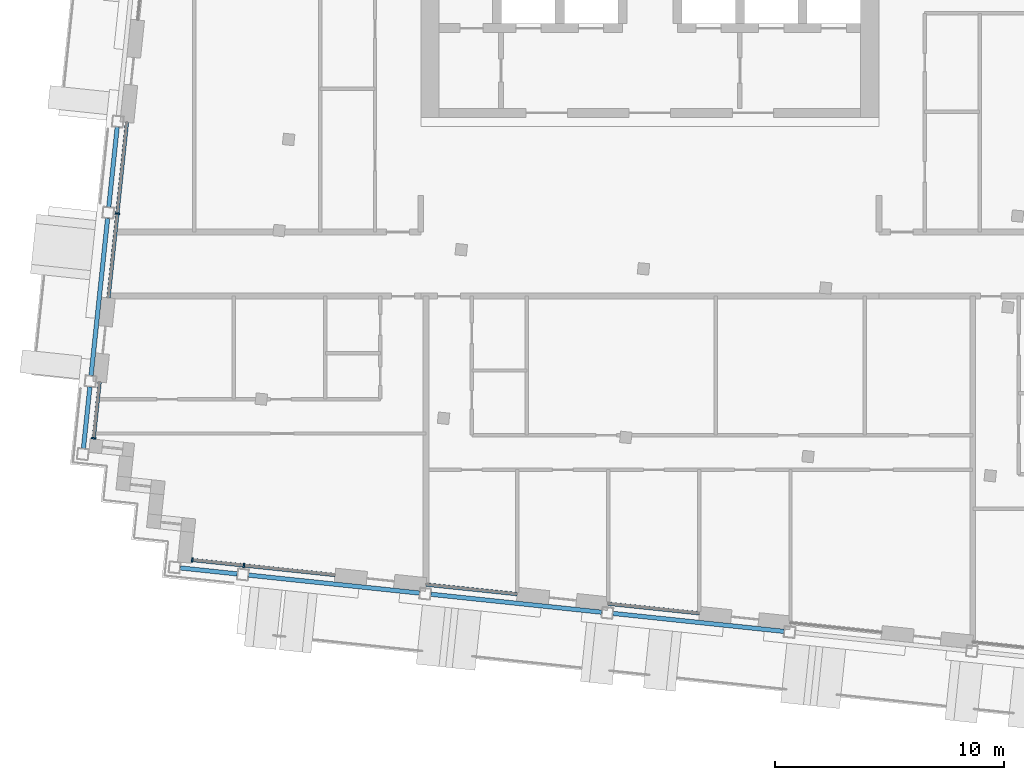
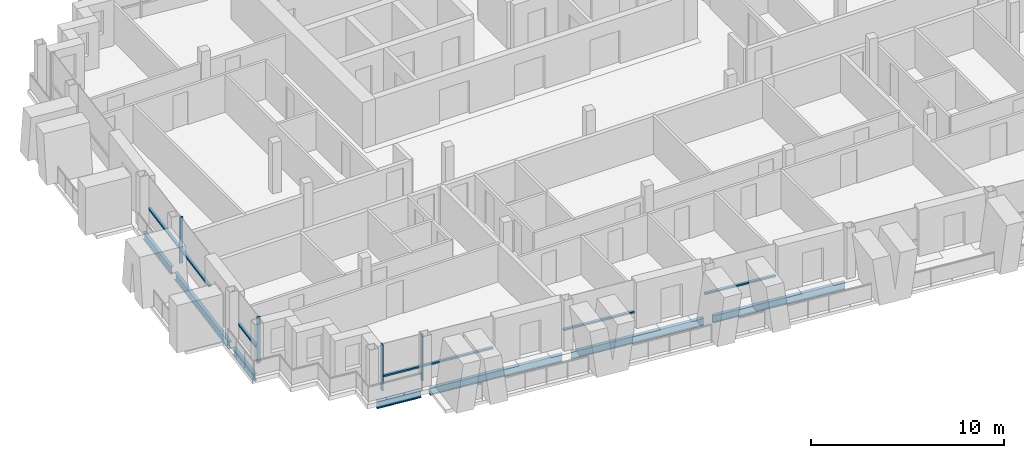
# One storey, part 2 of 16: 11 members, 7 beams, 5 elements without a shape of their own.
"""IFC4 building model written with IfcOpenShell, lengths in metres."""

from ifc_helpers import new_model, si_unit, direction, frame, origin, origin_2d, place, context, subcontext, project, spatial, rectangle, i_section, extrude, material, material_profile, profile_set, type_object, element, aggregate, save


model = new_model("IFC4")

# Units and contexts
model_context = context("Model", 3, precision=1e-05, world=origin(), true_north=direction((0.0, 1.0)))
body_context = subcontext(model_context, "Body", "Model", "MODEL_VIEW")
ifc_project = project(units=[si_unit("LENGTHUNIT", "METRE"), si_unit("AREAUNIT", "SQUARE_METRE"), si_unit("VOLUMEUNIT", "CUBIC_METRE"), si_unit("PLANEANGLEUNIT", "RADIAN"), si_unit("MASSUNIT", "GRAM", prefix="KILO")], contexts=[model_context])

# Site, building, storey
site_placement = place(None, origin())
site = spatial("IfcSite", under=ifc_project, at=site_placement, CompositionType="ELEMENT")
building_placement = place(site_placement, origin())
building = spatial("IfcBuilding", under=site, at=building_placement, Name="Vidyagriha Tower", CompositionType="ELEMENT")
storey_placement = place(building_placement, frame((0.0, 0.0, 256.300048828125)))
storey = spatial("IfcBuildingStorey", under=building, at=storey_placement, Name="L66", CompositionType="ELEMENT", Elevation=256.300048828125)

# Beams
ifc_material_1 = material(Name="Steel ASTM A992 Grade 50", Category="steel")
ifc_material_profile_1 = material_profile(ifc_material_1, i_section(OverallWidth=0.19189453125, OverallDepth=0.46240234375, WebThickness=0.010498046875, FlangeThickness=0.017578125, at=origin_2d()), Name="W18X60")
ifc_profile_set_1 = profile_set([ifc_material_profile_1], Name="Steel ASTM A992 Grade 50")
beam_type = type_object("IfcBeamType", Name="Edge beam W18X60", PredefinedType="SPANDREL", material=ifc_profile_set_1)
beam_1_placement = place(storey_placement, frame((-20.50341796875, -13.268798828125, -0.51123046875), z_axis=(0.994525767953, -0.104491611519, 0.0), x_axis=(0.104491611519, 0.994525767953, 0.0)))
element("IfcBeam", 1, at=beam_1_placement, inside=storey, type_object=beam_type, Name="st-beam-L66-S01", PredefinedType="SPANDREL", context=body_context, shape_type="SweptSolid", body=[
    extrude(i_section(OverallWidth=0.19189453125, OverallDepth=0.46240234375, WebThickness=0.010498046875, FlangeThickness=0.017578125, at=origin_2d()), origin(), (0.0, 0.0, 1.0), 2.5),
])
for number, where, z_axis, x_axis, name in (
    (2, (-17.519775390625, -13.582275390625, -0.51123046875), (0.994522384662, -0.104523807841, 0.0), (0.104523807841, 0.994522384662, 0.0), "st-beam-L66-S02"),
    (3, (-9.563720703125, -14.418701171875, -0.51123046875), (0.994525767953, -0.104491611519, 0.0), (0.104491611519, 0.994525767953, 0.0), "st-beam-L66-S03"),
    (4, (-1.607421875, -15.2548828125, -0.51123046875), (0.994522384662, -0.104523807841, 0.0), (0.104523807841, 0.994522384662, 0.0), "st-beam-L66-S04"),
):
    element("IfcBeam", number, at=place(storey_placement, frame(where, z_axis=z_axis, x_axis=x_axis)), inside=storey, type_object=beam_type, Name=name, PredefinedType="SPANDREL", context=body_context, shape_type="SweptSolid", body=[
        extrude(i_section(OverallWidth=0.19189453125, OverallDepth=0.46240234375, WebThickness=0.010498046875, FlangeThickness=0.017578125, at=origin_2d()), origin(), (0.0, 0.0, 1.0), 7.5),
    ])
beam_2_placement = place(storey_placement, frame((-24.730712890625, -8.04833984375, -0.51123046875), z_axis=(0.104524753323, 0.994522285292, 0.0), x_axis=(-0.994522285292, 0.104524753323, 0.0)))
element("IfcBeam", 5, at=beam_2_placement, inside=storey, type_object=beam_type, Name="st-beam-L66-W08", PredefinedType="SPANDREL", context=body_context, shape_type="SweptSolid", body=[
    extrude(i_section(OverallWidth=0.19189453125, OverallDepth=0.46240234375, WebThickness=0.010498046875, FlangeThickness=0.017578125, at=origin_2d()), origin(), (0.0, 0.0, 1.0), 2.7001953125),
])
beam_3_placement = place(storey_placement, frame((-24.396484375, -4.86572265625, -0.51123046875), z_axis=(0.104557694553, 0.994518822602, 0.0), x_axis=(-0.994518822602, 0.104557694553, 0.0)))
element("IfcBeam", 6, at=beam_3_placement, inside=storey, type_object=beam_type, Name="st-beam-L66-W09", PredefinedType="SPANDREL", context=body_context, shape_type="SweptSolid", body=[
    extrude(i_section(OverallWidth=0.19189453125, OverallDepth=0.46240234375, WebThickness=0.010498046875, FlangeThickness=0.017578125, at=origin_2d()), origin(), (0.0, 0.0, 1.0), 6.89990234375),
])
beam_4_placement = place(storey_placement, frame((-23.622802734375, 2.49365234375, -0.51123046875), z_axis=(0.104488712073, 0.994526072584, 0.0), x_axis=(-0.994526072584, 0.104488712073, 0.0)))
element("IfcBeam", 7, at=beam_4_placement, inside=storey, type_object=beam_type, Name="st-beam-L66-W10", PredefinedType="SPANDREL", context=body_context, shape_type="SweptSolid", body=[
    extrude(i_section(OverallWidth=0.19189453125, OverallDepth=0.46240234375, WebThickness=0.010498046875, FlangeThickness=0.017578125, at=origin_2d()), origin(), (0.0, 0.0, 1.0), 3.5),
])

# Curtain wall, member
ifc_material_2 = material(Name="Aluminium and glass curtain wall", Category="aluminium")
curtain_wall_type = type_object("IfcCurtainWallType", Name="Dwelling skin unitised curtain wall", PredefinedType="USERDEFINED", material=ifc_material_2)
curtain_wall_1_placement = place(storey_placement, origin())
curtain_wall_1 = element("IfcCurtainWall", 8, at=curtain_wall_1_placement, inside=storey, type_object=curtain_wall_type, Name="CW1 dwelling skin", ObjectType="UNITISED", PredefinedType="USERDEFINED")
ifc_material_3 = material(Name="Aluminium black anodised", Category="aluminium")
ifc_material_profile_2 = material_profile(ifc_material_3, rectangle(XDim=0.199951171875, YDim=0.070068359375, at=origin_2d()), Name="Mullion 70x200 black aluminium")
ifc_profile_set_2 = profile_set([ifc_material_profile_2], Name="Aluminium black anodised")
member_type_1 = type_object("IfcMemberType", Name="Mullion 70x200 black aluminium", PredefinedType="MULLION", material=ifc_profile_set_2)
member_1_placement = place(storey_placement, frame((-23.251220703125, 2.203369140625, 0.0), z_axis=(0.0, 0.0, 1.0), x_axis=(0.994521452706, -0.10453267483, 0.0)))
member_1 = element("IfcMember", 9, at=member_1_placement, type_object=member_type_1, Name="CW1 mullion 2", PredefinedType="MULLION", context=body_context, shape_type="SweptSolid", body=[
    extrude(rectangle(XDim=0.199951171875, YDim=0.070068359375, at=origin_2d()), origin(), (0.0, 0.0, 1.0), 2.919921875),
])

curtain_wall_2_placement = place(storey_placement, origin())
curtain_wall_2 = element("IfcCurtainWall", 10, at=curtain_wall_2_placement, inside=storey, type_object=curtain_wall_type, Name="CW1 dwelling skin", ObjectType="UNITISED", PredefinedType="USERDEFINED")
member_2_placement = place(storey_placement, frame((-24.2822265625, -7.60791015625, 0.0), z_axis=(0.0, 0.0, 1.0), x_axis=(0.994523191389, -0.10451613172, 0.0)))
member_2 = element("IfcMember", 11, at=member_2_placement, type_object=member_type_1, Name="CW1 mullion 2", PredefinedType="MULLION", context=body_context, shape_type="SweptSolid", body=[
    extrude(rectangle(XDim=0.199951171875, YDim=0.070068359375, at=origin_2d()), origin(), (0.0, 0.0, 1.0), 2.919921875),
])

# Curtain wall, members
curtain_wall_3_placement = place(storey_placement, origin())
curtain_wall_3 = element("IfcCurtainWall", 12, at=curtain_wall_3_placement, inside=storey, type_object=curtain_wall_type, Name="CW1 dwelling skin", ObjectType="UNITISED", PredefinedType="USERDEFINED")
member_3_placement = place(storey_placement, frame((-19.979248046875, -12.921630859375, 0.0), z_axis=(0.0, 0.0, 1.0), x_axis=(0.104523661385, 0.994522400055, 0.0)))
member_3 = element("IfcMember", 13, at=member_3_placement, type_object=member_type_1, Name="CW1 mullion 1", PredefinedType="MULLION", context=body_context, shape_type="SweptSolid", body=[
    extrude(rectangle(XDim=0.199951171875, YDim=0.070068359375, at=origin_2d()), origin(), (0.0, 0.0, 1.0), 2.919921875),
])
member_4_placement = place(storey_placement, frame((-17.7265625, -13.158447265625, 0.0), z_axis=(0.0, 0.0, 1.0), x_axis=(0.104523661385, 0.994522400055, 0.0)))
member_4 = element("IfcMember", 14, at=member_4_placement, type_object=member_type_1, Name="CW1 mullion 2", PredefinedType="MULLION", context=body_context, shape_type="SweptSolid", body=[
    extrude(rectangle(XDim=0.199951171875, YDim=0.070068359375, at=origin_2d()), origin(), (0.0, 0.0, 1.0), 2.919921875),
])

# Member
ifc_material_4 = material(Name="Aluminium black anodised", Category="aluminium")
ifc_material_profile_3 = material_profile(ifc_material_4, rectangle(XDim=0.159912109375, YDim=0.10009765625, at=origin_2d()), Name="Transom 100x160 black aluminium")
ifc_profile_set_3 = profile_set([ifc_material_profile_3], Name="Aluminium black anodised")
member_type_2 = type_object("IfcMemberType", Name="Transom 100x160 black aluminium", PredefinedType="USERDEFINED", material=ifc_profile_set_3)
member_5_placement = place(storey_placement, frame((-22.8330078125, 6.181396484375, 0.89990234375), z_axis=(-0.104550167438, -0.994519613929, 0.0), x_axis=(0.994519613929, -0.104550167438, 0.0)))
member_5 = element("IfcMember", 15, at=member_5_placement, type_object=member_type_2, Name="CW1 transom 1.1", ObjectType="TRANSOM", PredefinedType="USERDEFINED", context=body_context, shape_type="SweptSolid", body=[
    extrude(rectangle(XDim=0.159912109375, YDim=0.10009765625, at=origin_2d()), origin(), (0.0, 0.0, 1.0), 3.965087890625),
])

member_6_placement = place(storey_placement, frame((-23.2548828125, 2.16845703125, 0.89990234375), z_axis=(-0.104521800028, -0.99452259568, 0.0), x_axis=(0.99452259568, -0.104521800028, 0.0)))
member_6 = element("IfcMember", 16, at=member_6_placement, type_object=member_type_2, Name="CW1 transom 2.1", ObjectType="TRANSOM", PredefinedType="USERDEFINED", context=body_context, shape_type="SweptSolid", body=[
    extrude(rectangle(XDim=0.159912109375, YDim=0.10009765625, at=origin_2d()), origin(), (0.0, 0.0, 1.0), 3.664794921875),
])

aggregate(curtain_wall_1, [member_1, member_5, member_6])

member_7_placement = place(storey_placement, frame((-24.024658203125, -5.15625, 0.89990234375), z_axis=(-0.104486049741, -0.994526352295, 0.0), x_axis=(0.994526352295, -0.104486049741, 0.0)))
member_7 = element("IfcMember", 17, at=member_7_placement, type_object=member_type_2, Name="CW1 transom 1.1", ObjectType="TRANSOM", PredefinedType="USERDEFINED", context=body_context, shape_type="SweptSolid", body=[
    extrude(rectangle(XDim=0.159912109375, YDim=0.10009765625, at=origin_2d()), origin(), (0.0, 0.0, 1.0), 2.429931640625),
])

aggregate(curtain_wall_2, [member_2, member_7])

member_8_placement = place(storey_placement, frame((-19.9443359375, -12.92529296875, 0.89990234375), z_axis=(0.994518853465, -0.104557400991, 0.0), x_axis=(0.104557400991, 0.994518853465, 0.0)))
member_8 = element("IfcMember", 18, at=member_8_placement, type_object=member_type_2, Name="CW1 transom 1.1", ObjectType="TRANSOM", PredefinedType="USERDEFINED", context=body_context, shape_type="SweptSolid", body=[
    extrude(rectangle(XDim=0.159912109375, YDim=0.10009765625, at=origin_2d()), origin(), (0.0, 0.0, 1.0), 2.19482421875),
])

member_9_placement = place(storey_placement, frame((-17.69189453125, -13.162109375, 0.89990234375), z_axis=(0.994526014245, -0.104489267346, 0.0), x_axis=(0.104489267346, 0.994526014245, 0.0)))
member_9 = element("IfcMember", 19, at=member_9_placement, type_object=member_type_2, Name="CW1 transom 2.1", ObjectType="TRANSOM", PredefinedType="USERDEFINED", context=body_context, shape_type="SweptSolid", body=[
    extrude(rectangle(XDim=0.159912109375, YDim=0.10009765625, at=origin_2d()), origin(), (0.0, 0.0, 1.0), 3.965087890625),
])

aggregate(curtain_wall_3, [member_3, member_4, member_8, member_9])

# Curtain wall, member
curtain_wall_4_placement = place(storey_placement, origin())
curtain_wall_4 = element("IfcCurtainWall", 20, at=curtain_wall_4_placement, inside=storey, type_object=curtain_wall_type, Name="CW1 dwelling skin", ObjectType="UNITISED", PredefinedType="USERDEFINED")
member_10_placement = place(storey_placement, frame((-9.7705078125, -13.99462890625, 0.89990234375), z_axis=(0.99451982373, -0.104548171712, 0.0), x_axis=(0.104548171712, 0.99451982373, 0.0)))
member_10 = element("IfcMember", 21, at=member_10_placement, type_object=member_type_2, Name="CW1 transom 1.1", ObjectType="TRANSOM", PredefinedType="USERDEFINED", context=body_context, shape_type="SweptSolid", body=[
    extrude(rectangle(XDim=0.159912109375, YDim=0.10009765625, at=origin_2d()), origin(), (0.0, 0.0, 1.0), 4.000244140625),
])
aggregate(curtain_wall_4, [member_10])

curtain_wall_5_placement = place(storey_placement, origin())
curtain_wall_5 = element("IfcCurtainWall", 22, at=curtain_wall_5_placement, inside=storey, type_object=curtain_wall_type, Name="CW1 dwelling skin", ObjectType="UNITISED", PredefinedType="USERDEFINED")
member_11_placement = place(storey_placement, frame((-1.814208984375, -14.830810546875, 0.89990234375), z_axis=(0.994519156568, -0.104554517933, 0.0), x_axis=(0.104554517933, 0.994519156568, 0.0)))
member_11 = element("IfcMember", 23, at=member_11_placement, type_object=member_type_2, Name="CW1 transom 1.1", ObjectType="TRANSOM", PredefinedType="USERDEFINED", context=body_context, shape_type="SweptSolid", body=[
    extrude(rectangle(XDim=0.159912109375, YDim=0.10009765625, at=origin_2d()), origin(), (0.0, 0.0, 1.0), 4.0),
])
aggregate(curtain_wall_5, [member_11])

save(model, "model.ifc")
